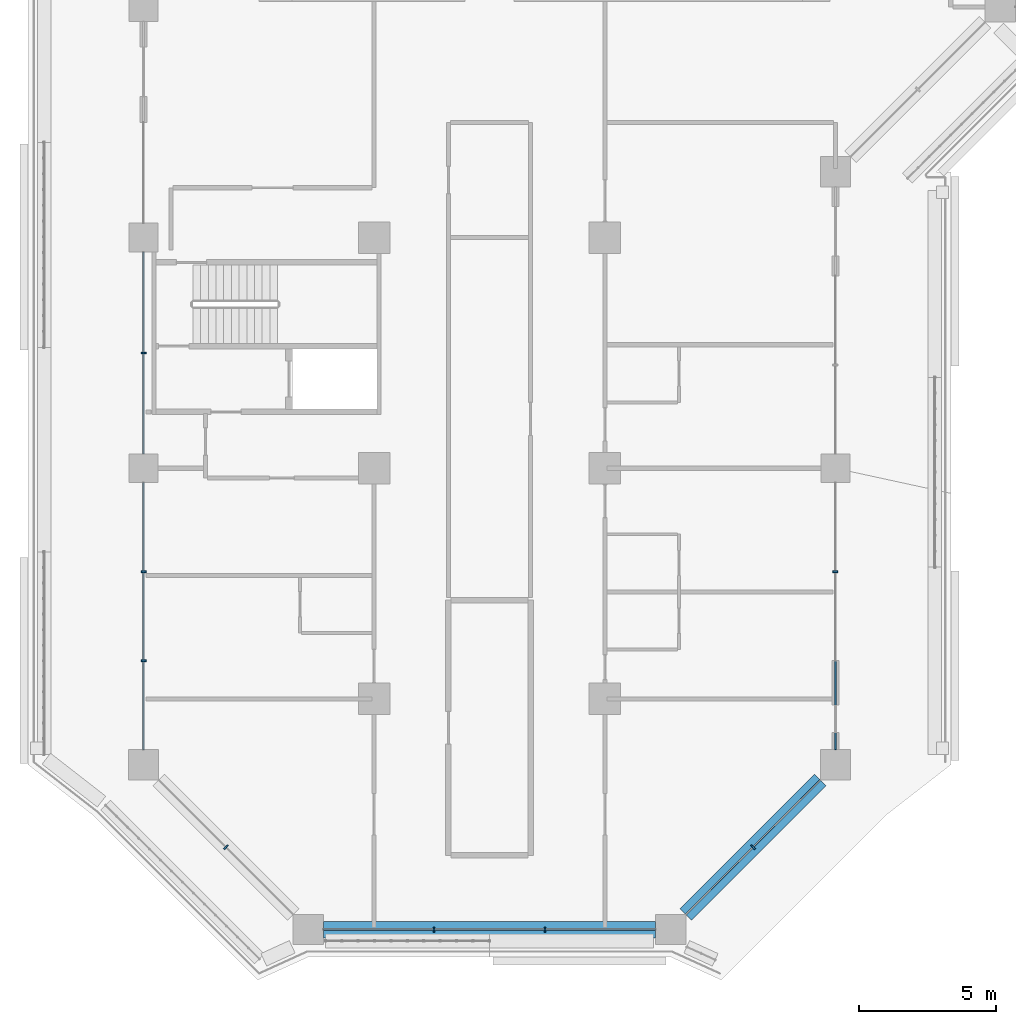
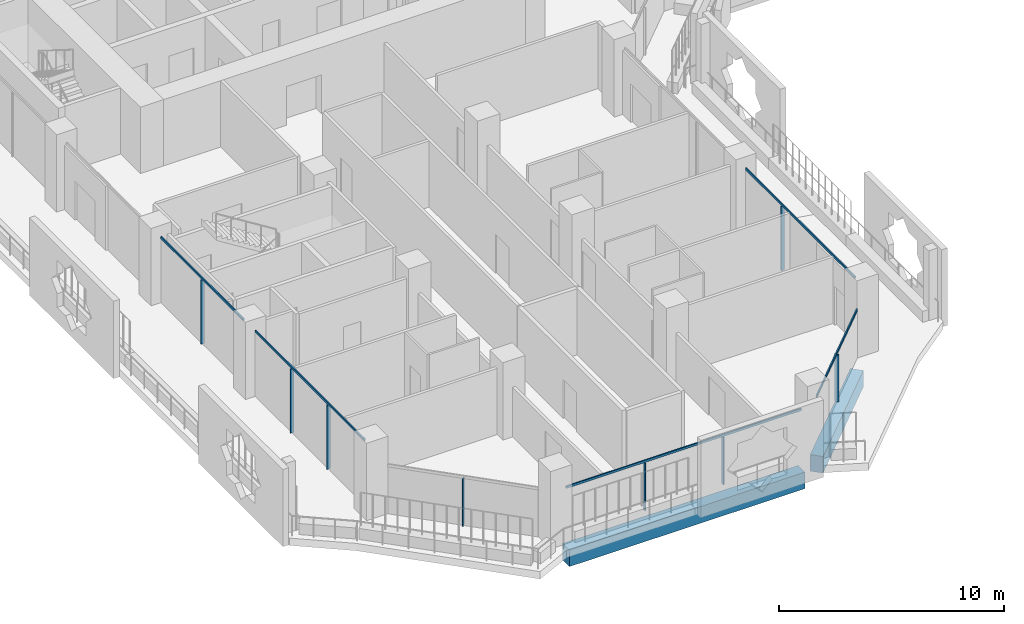
# One storey, part 2 of 25: 13 members, 2 beams, 5 elements without a shape of their own.
"""IFC4 building model written with IfcOpenShell, lengths in metres."""

import ifcopenshell
import ifcopenshell.guid

model = None  # the IFC model being written
_history = None  # IfcOwnerHistory: only IFC2X3 demands one
_inside = {}  # id of a spatial element -> (the spatial element, [elements in it])
_under = {}  # id of a project, library or spatial element -> (it, [spatial elements below it])
_declared = {}  # id of a project -> (the project, [libraries it declares])
_typed = {}  # id of a type object -> (the type object, [elements of that type])
_made_of = {}  # id of a material, layer set ... -> (it, [elements and type objects made of it])


def new_model(schema):
    """Start an empty IFC model of exactly this schema.

    Asked for "IFC4X3", IfcOpenShell would pick the latest addendum, in which some entities
    have other attributes; the version numbers below select the first issue.
    IFC2X3 requires an IfcOwnerHistory on every rooted entity: one is made here for all.
    """
    global model, _history
    if schema == "IFC4X3":
        model = ifcopenshell.file(schema_version=(4, 3, 0, 0))
    else:
        model = ifcopenshell.file(schema=schema)
    _inside.clear()
    _under.clear()
    _declared.clear()
    _typed.clear()
    _made_of.clear()
    _history = None
    if model.schema == "IFC2X3":
        org = make("IfcOrganization", Name="unknown")
        user = make(
            "IfcPersonAndOrganization",
            ThePerson=make("IfcPerson", FamilyName="unknown"),
            TheOrganization=org,
        )
        app = make(
            "IfcApplication",
            ApplicationDeveloper=org,
            Version="unknown",
            ApplicationFullName="unknown",
            ApplicationIdentifier="unknown",
        )
        _history = make(
            "IfcOwnerHistory",
            OwningUser=user,
            OwningApplication=app,
            ChangeAction="ADDED",
            CreationDate=0,
        )
    return model


def make(cls, **values):
    """One entity of the class cls with the attributes given. An attribute that is None is left unset."""
    return model.create_entity(
        cls, **{name: value for name, value in values.items() if value is not None}
    )


def rooted(cls, **values):
    """An entity with a GlobalId (a new one), such as an element, a storey or a relation."""
    return make(cls, GlobalId=ifcopenshell.guid.new(), OwnerHistory=_history, **values)


def si_unit(unit_type, name, prefix=None):
    """IfcSIUnit, for example si_unit("LENGTHUNIT", "METRE", prefix="MILLI")."""
    return make("IfcSIUnit", UnitType=unit_type, Prefix=prefix, Name=name)


def assignment(units):
    """IfcUnitAssignment: the units of a project."""
    return None if units is None else make("IfcUnitAssignment", Units=units)


def point(xyz):
    """IfcCartesianPoint."""
    return None if xyz is None else make("IfcCartesianPoint", Coordinates=xyz)


def direction(xyz):
    """IfcDirection."""
    return None if xyz is None else make("IfcDirection", DirectionRatios=xyz)


def frame(location, z_axis=None, x_axis=None):
    """IfcAxis2Placement3D, a coordinate frame: its origin and axes. An axis left out is left unset."""
    return make(
        "IfcAxis2Placement3D",
        Location=point(location),
        Axis=direction(z_axis),
        RefDirection=direction(x_axis),
    )


def frame_2d(location, x_axis=None):
    """IfcAxis2Placement2D, a coordinate frame in the plane: its origin and x axis."""
    return make(
        "IfcAxis2Placement2D", Location=point(location), RefDirection=direction(x_axis)
    )


def origin():
    """The frame at (0, 0, 0) with its axes left unset."""
    return frame((0.0, 0.0, 0.0))


def origin_2d():
    """The frame at (0, 0) in the plane with its x axis left unset."""
    return frame_2d((0.0, 0.0))


def place(relative_to, where):
    """IfcLocalPlacement: puts the frame where relative to a parent placement (None: the world)."""
    return make(
        "IfcLocalPlacement", PlacementRelTo=relative_to, RelativePlacement=where
    )


def context(
    kind, dimensions, precision=None, world=None, true_north=None, identifier=None
):
    """IfcGeometricRepresentationContext, for example the 3D "Model" context."""
    return make(
        "IfcGeometricRepresentationContext",
        ContextIdentifier=identifier,
        ContextType=kind,
        CoordinateSpaceDimension=dimensions,
        Precision=precision,
        WorldCoordinateSystem=world,
        TrueNorth=true_north,
    )


def subcontext(parent, identifier, kind, view, scale=None):
    """IfcGeometricRepresentationSubContext, for example "Body" below "Model"."""
    return make(
        "IfcGeometricRepresentationSubContext",
        ContextIdentifier=identifier,
        ContextType=kind,
        ParentContext=parent,
        TargetScale=scale,
        TargetView=view,
    )


def project(units=None, contexts=None):
    """IfcProject with its units and contexts."""
    return rooted(
        "IfcProject",
        Name="project",
        RepresentationContexts=contexts,
        UnitsInContext=assignment(units),
    )


def spatial(cls, under=None, at=None, **own):
    """A site, building, storey or space (cls), placed at a placement, below another one or the project."""
    s = rooted(cls, ObjectPlacement=at, **own)
    if under is not None:
        _under.setdefault(under.id(), (under, []))[1].append(s)
    return s


def profile(cls, at=None, kind="AREA", **sizes):
    """A parametric profile (cls). Its sizes go by their IFC names, for example OverallWidth=200.0."""
    return make(cls, ProfileType=kind, Position=at, **sizes)


def rectangle(**sizes):
    """IfcRectangleProfileDef."""
    return profile("IfcRectangleProfileDef", **sizes)


def extrude(swept, where, along, depth):
    """IfcExtrudedAreaSolid: the profile swept, set in the frame where, extruded along a direction by depth."""
    return make(
        "IfcExtrudedAreaSolid",
        SweptArea=swept,
        Position=where,
        ExtrudedDirection=direction(along),
        Depth=depth,
    )


def shape(context_of_items, identifier, shape_type, items):
    """IfcShapeRepresentation: the items that make up one representation, for example the "Body"."""
    return make(
        "IfcShapeRepresentation",
        ContextOfItems=context_of_items,
        RepresentationIdentifier=identifier,
        RepresentationType=shape_type,
        Items=items,
    )


def material(Name=None, Category=None):
    """IfcMaterial."""
    return make("IfcMaterial", Name=Name, Category=Category)


def layer(
    of_material, thickness, ventilated=None, Name=None, Category=None, Priority=None
):
    """IfcMaterialLayer: one layer of a wall or slab, of a material (None: an air gap)."""
    return make(
        "IfcMaterialLayer",
        Material=of_material,
        LayerThickness=thickness,
        IsVentilated=ventilated,
        Name=Name,
        Category=Category,
        Priority=Priority,
    )


def layer_set(layers, Name=None):
    """IfcMaterialLayerSet."""
    return make("IfcMaterialLayerSet", MaterialLayers=layers, LayerSetName=Name)


def material_profile(
    of_material, cross_section, Name=None, Category=None, Priority=None
):
    """IfcMaterialProfile: a cross section and its material."""
    return make(
        "IfcMaterialProfile",
        Name=Name,
        Material=of_material,
        Profile=cross_section,
        Priority=Priority,
        Category=Category,
    )


def profile_set(profiles, Name=None, composite=None):
    """IfcMaterialProfileSet."""
    return make(
        "IfcMaterialProfileSet",
        Name=Name,
        MaterialProfiles=profiles,
        CompositeProfile=composite,
    )


def made_of(thing, what):
    """Note that an element or type object is made of a material, layer set ...; save() writes the relation."""
    if what is not None:
        _made_of.setdefault(what.id(), (what, []))[1].append(thing)
    return thing


def type_object(cls, material=None, **own):
    """A type object (cls), such as IfcWallType, which elements share."""
    return made_of(rooted(cls, **own), material)


def element(
    cls,
    number,
    at=None,
    inside=None,
    cuts=None,
    type_object=None,
    material=None,
    context=None,
    identifier="Body",
    shape_type=None,
    held_by="IfcProductDefinitionShape",
    body=None,
    shapes=None,
    **own,
):
    """One element of the class cls, such as IfcWall. Its Tag is "e" and its number.

    at: its placement. inside: the storey or other place that contains it. cuts: it is an
    opening in that element (IfcRelVoidsElement). A single representation is given by context,
    identifier, shape_type and body (its items); several are given by shapes. held_by: the class
    of the entity that holds the representations. save() writes the other relations.
    """
    e = rooted(cls, Tag="e%d" % number, ObjectPlacement=at, **own)
    if body is not None:
        shapes = [shape(context, identifier, shape_type, body)]
    if shapes is not None:
        e.Representation = make(held_by, Representations=shapes)
    if inside is not None:
        _inside.setdefault(inside.id(), (inside, []))[1].append(e)
    if cuts is not None:
        rooted(
            "IfcRelVoidsElement", RelatingBuildingElement=cuts, RelatedOpeningElement=e
        )
    if type_object is not None:
        _typed.setdefault(type_object.id(), (type_object, []))[1].append(e)
    return made_of(e, material)


def aggregate(whole, parts):
    """IfcRelAggregates: a whole, such as a stair, and the parts it consists of."""
    return rooted("IfcRelAggregates", RelatingObject=whole, RelatedObjects=parts)


def save(model, path):
    """Write the relations noted so far, then the file.

    IfcRelAggregates (storeys below a building ...), IfcRelContainedInSpatialStructure (elements
    in a storey), IfcRelDefinesByType, IfcRelAssociatesMaterial and IfcRelDeclares: one each for
    every whole, place, type object, material and project.
    """
    for whole, parts in _under.values():
        aggregate(whole, parts)
    for where, things in _inside.values():
        rooted(
            "IfcRelContainedInSpatialStructure",
            RelatedElements=things,
            RelatingStructure=where,
        )
    for kind, things in _typed.values():
        rooted("IfcRelDefinesByType", RelatedObjects=things, RelatingType=kind)
    for what, things in _made_of.values():
        rooted("IfcRelAssociatesMaterial", RelatedObjects=things, RelatingMaterial=what)
    for by, libraries in _declared.values():
        rooted("IfcRelDeclares", RelatingContext=by, RelatedDefinitions=libraries)
    model.write(path)


model = new_model("IFC4")

# Units and contexts
model_context = context("Model", 3, precision=1e-05, world=origin(), true_north=direction((0.0, 1.0)))
body_context = subcontext(model_context, "Body", "Model", "MODEL_VIEW")
ifc_project = project(units=[si_unit("LENGTHUNIT", "METRE"), si_unit("AREAUNIT", "SQUARE_METRE"), si_unit("VOLUMEUNIT", "CUBIC_METRE"), si_unit("PLANEANGLEUNIT", "RADIAN"), si_unit("MASSUNIT", "GRAM", prefix="KILO")], contexts=[model_context])

# Site, building, storey
site_placement = place(None, origin())
site = spatial("IfcSite", under=ifc_project, at=site_placement, CompositionType="ELEMENT")
building_placement = place(site_placement, origin())
building = spatial("IfcBuilding", under=site, at=building_placement, Name="Kawkab Arch Medical Tower", CompositionType="ELEMENT")
storey_placement = place(building_placement, frame((0.0, 0.0, 128.199951171875)))
storey = spatial("IfcBuildingStorey", under=building, at=storey_placement, Name="L29", CompositionType="ELEMENT", Elevation=128.199951171875)

# Curtain wall, members
ifc_material_1 = material(Name="Bronze anodised aluminium curtain wall frame", Category="aluminium")
ifc_layer_1 = layer(ifc_material_1, 0.159912109375)
ifc_layer_set_1 = layer_set([ifc_layer_1], Name="Bronze anodised aluminium curtain wall frame")
curtain_wall_type_1 = type_object("IfcCurtainWallType", Name="CW1 ward curtain wall", PredefinedType="NOTDEFINED", material=ifc_layer_set_1)
placement = place(storey_placement, origin())
curtain_wall_1 = element("IfcCurtainWall", 1, at=placement, inside=storey, type_object=curtain_wall_type_1, Name="CW1 Ward curtain wall R01", PredefinedType="NOTDEFINED")
ifc_material_2 = material(Name="Bronze anodised aluminium curtain wall frame", Category="aluminium")
ifc_material_profile_1 = material_profile(ifc_material_2, rectangle(XDim=0.179931640625, YDim=0.06005859375, at=origin_2d()), Name="AL 60x180")
ifc_profile_set_1 = profile_set([ifc_material_profile_1], Name="Bronze anodised aluminium curtain wall frame")
member_type_1 = type_object("IfcMemberType", Name="CW1 mullion 60 x 180", PredefinedType="MULLION", material=ifc_profile_set_1)
member_1_placement = place(storey_placement, frame((0.0, -37.800048828125, 0.0), z_axis=(0.0, 0.0, 1.0), x_axis=(1.0, 0.0, 0.0)))
member_1 = element("IfcMember", 2, at=member_1_placement, type_object=member_type_1, Name="CW1 mullion 5.1", PredefinedType="MULLION", context=body_context, shape_type="SweptSolid", body=[
    extrude(rectangle(XDim=0.179931640625, YDim=0.06005859375, at=origin_2d()), origin(), (0.0, 0.0, 1.0), 3.47998046875),
])
member_2_placement = place(storey_placement, frame((0.0, -45.7666015625, 0.0), z_axis=(0.0, 0.0, 1.0), x_axis=(1.0, 0.0, 0.0)))
member_2 = element("IfcMember", 3, at=member_2_placement, type_object=member_type_1, Name="CW1 mullion 6.1", PredefinedType="MULLION", context=body_context, shape_type="SweptSolid", body=[
    extrude(rectangle(XDim=0.179931640625, YDim=0.06005859375, at=origin_2d()), origin(), (0.0, 0.0, 1.0), 3.47998046875),
])
member_3_placement = place(storey_placement, frame((0.0, -49.00830078125, 0.0), z_axis=(0.0, 0.0, 1.0), x_axis=(1.0, 0.0, 0.0)))
member_3 = element("IfcMember", 4, at=member_3_placement, type_object=member_type_1, Name="CW1 mullion 6.2", PredefinedType="MULLION", context=body_context, shape_type="SweptSolid", body=[
    extrude(rectangle(XDim=0.179931640625, YDim=0.06005859375, at=origin_2d()), origin(), (0.0, 0.0, 1.0), 3.47998046875),
])

curtain_wall_2 = element("IfcCurtainWall", 5, at=placement, inside=storey, type_object=curtain_wall_type_1, Name="CW1 Ward curtain wall R03", PredefinedType="NOTDEFINED")
member_4_placement = place(storey_placement, frame((10.583251953125, -58.800048828125, 0.0), z_axis=(0.0, 0.0, 1.0), x_axis=(0.0, 1.0, 0.0)))
member_4 = element("IfcMember", 6, at=member_4_placement, type_object=member_type_1, Name="CW1 mullion 1.1", PredefinedType="MULLION", context=body_context, shape_type="SweptSolid", body=[
    extrude(rectangle(XDim=0.179931640625, YDim=0.06005859375, at=origin_2d()), origin(), (0.0, 0.0, 1.0), 2.580078125),
])
member_5_placement = place(storey_placement, frame((14.61669921875, -58.800048828125, 0.0), z_axis=(0.0, 0.0, 1.0), x_axis=(0.0, 1.0, 0.0)))
member_5 = element("IfcMember", 7, at=member_5_placement, type_object=member_type_1, Name="CW1 mullion 1.2", PredefinedType="MULLION", context=body_context, shape_type="SweptSolid", body=[
    extrude(rectangle(XDim=0.179931640625, YDim=0.06005859375, at=origin_2d()), origin(), (0.0, 0.0, 1.0), 2.580078125),
])

# Curtain wall, member
curtain_wall_3 = element("IfcCurtainWall", 8, at=placement, inside=storey, type_object=curtain_wall_type_1, Name="CW1 Ward curtain wall R05", PredefinedType="NOTDEFINED")
member_6_placement = place(storey_placement, frame((25.199951171875, -45.7666015625, 0.0), z_axis=(0.0, 0.0, 1.0), x_axis=(-1.0, 0.0, 0.0)))
member_6 = element("IfcMember", 9, at=member_6_placement, type_object=member_type_1, Name="CW1 mullion 1.2", PredefinedType="MULLION", context=body_context, shape_type="SweptSolid", body=[
    extrude(rectangle(XDim=0.179931640625, YDim=0.06005859375, at=origin_2d()), origin(), (0.0, 0.0, 1.0), 3.47998046875),
])

# Member
ifc_material_3 = material(Name="Bronze anodised aluminium curtain wall frame", Category="aluminium")
ifc_material_profile_2 = material_profile(ifc_material_3, rectangle(XDim=0.06005859375, YDim=0.1201171875, at=origin_2d()), Name="AL 60x120")
ifc_profile_set_2 = profile_set([ifc_material_profile_2], Name="Bronze anodised aluminium curtain wall frame")
member_type_2 = type_object("IfcMemberType", Name="CW1 transom 120 x 60", PredefinedType="USERDEFINED", material=ifc_profile_set_2)
member_7_placement = place(storey_placement, frame((0.0, -34.125, 3.5400390625), z_axis=(0.0, -1.0, 0.0), x_axis=(1.0, 0.0, 0.0)))
member_7 = element("IfcMember", 10, at=member_7_placement, type_object=member_type_2, Name="CW1 transom 5", ObjectType="TRANSOM", PredefinedType="USERDEFINED", context=body_context, shape_type="SweptSolid", body=[
    extrude(rectangle(XDim=0.06005859375, YDim=0.1201171875, at=origin_2d()), origin(), (0.0, 0.0, 1.0), 7.35009765625),
])

member_8_placement = place(storey_placement, frame((0.0, -42.52490234375, 3.5400390625), z_axis=(0.0, -1.0, 0.0), x_axis=(1.0, 0.0, 0.0)))
member_8 = element("IfcMember", 11, at=member_8_placement, type_object=member_type_2, Name="CW1 transom 6", ObjectType="TRANSOM", PredefinedType="USERDEFINED", context=body_context, shape_type="SweptSolid", body=[
    extrude(rectangle(XDim=0.06005859375, YDim=0.1201171875, at=origin_2d()), origin(), (0.0, 0.0, 1.0), 9.72509765625),
])

aggregate(curtain_wall_1, [member_7, member_1, member_8, member_2, member_3])

member_9_placement = place(storey_placement, frame((6.550048828125, -58.800048828125, 2.64013671875), z_axis=(1.0, 0.0, 0.0), x_axis=(0.0, 1.0, 0.0)))
member_9 = element("IfcMember", 12, at=member_9_placement, type_object=member_type_2, Name="CW1 transom 1", ObjectType="TRANSOM", PredefinedType="USERDEFINED", context=body_context, shape_type="SweptSolid", body=[
    extrude(rectangle(XDim=0.06005859375, YDim=0.1201171875, at=origin_2d()), origin(), (0.0, 0.0, 1.0), 12.099853515625),
])

aggregate(curtain_wall_2, [member_9, member_4, member_5])

member_10_placement = place(storey_placement, frame((25.199951171875, -52.25, 3.5400390625), z_axis=(0.0, 1.0, 0.0), x_axis=(-1.0, 0.0, 0.0)))
member_10 = element("IfcMember", 13, at=member_10_placement, type_object=member_type_2, Name="CW1 transom 1", ObjectType="TRANSOM", PredefinedType="USERDEFINED", context=body_context, shape_type="SweptSolid", body=[
    extrude(rectangle(XDim=0.06005859375, YDim=0.1201171875, at=origin_2d()), origin(), (0.0, 0.0, 1.0), 9.72509765625),
])

aggregate(curtain_wall_3, [member_10, member_6])

# Curtain wall, member
ifc_material_4 = material(Name="Bronze anodised aluminium curtain wall frame", Category="aluminium")
ifc_layer_2 = layer(ifc_material_4, 0.159912109375)
ifc_layer_set_2 = layer_set([ifc_layer_2], Name="Bronze anodised aluminium curtain wall frame")
curtain_wall_type_2 = type_object("IfcCurtainWallType", Name="CW2 chamfer curtain wall", PredefinedType="NOTDEFINED", material=ifc_layer_set_2)
curtain_wall_4 = element("IfcCurtainWall", 14, at=placement, inside=storey, type_object=curtain_wall_type_2, Name="CW2 Chamfer curtain wall R02", PredefinedType="NOTDEFINED")
ifc_material_5 = material(Name="Bronze anodised aluminium curtain wall frame", Category="aluminium")
ifc_material_profile_3 = material_profile(ifc_material_5, rectangle(XDim=0.199951171875, YDim=0.06005859375, at=origin_2d()), Name="AL 60x200")
ifc_profile_set_3 = profile_set([ifc_material_profile_3], Name="Bronze anodised aluminium curtain wall frame")
member_type_3 = type_object("IfcMemberType", Name="CW2 mullion 60 x 200", PredefinedType="MULLION", material=ifc_profile_set_3)
member_11_placement = place(storey_placement, frame((3.0, -55.800048828125, 0.0), z_axis=(0.0, 0.0, 1.0), x_axis=(0.707106781187, 0.707106781187, 0.0)))
member_11 = element("IfcMember", 15, at=member_11_placement, type_object=member_type_3, Name="CW2 mullion 1.1", PredefinedType="MULLION", context=body_context, shape_type="SweptSolid", body=[
    extrude(rectangle(XDim=0.199951171875, YDim=0.06005859375, at=origin_2d()), origin(), (0.0, 0.0, 1.0), 2.56005859375),
])
aggregate(curtain_wall_4, [member_11])

# Curtain wall, members
curtain_wall_5 = element("IfcCurtainWall", 16, at=placement, inside=storey, type_object=curtain_wall_type_2, Name="CW2 Chamfer curtain wall R04", PredefinedType="NOTDEFINED")
member_12_placement = place(storey_placement, frame((22.199951171875, -55.800048828125, 0.0), z_axis=(0.0, 0.0, 1.0), x_axis=(-0.707106781187, 0.707106781187, 0.0)))
member_12 = element("IfcMember", 17, at=member_12_placement, type_object=member_type_3, Name="CW2 mullion 1.1", PredefinedType="MULLION", context=body_context, shape_type="SweptSolid", body=[
    extrude(rectangle(XDim=0.199951171875, YDim=0.06005859375, at=origin_2d()), origin(), (0.0, 0.0, 1.0), 2.56005859375),
])
ifc_material_6 = material(Name="Bronze anodised aluminium curtain wall frame", Category="aluminium")
ifc_material_profile_4 = material_profile(ifc_material_6, rectangle(XDim=0.06005859375, YDim=0.139892578125, at=origin_2d()), Name="AL 60x140")
ifc_profile_set_4 = profile_set([ifc_material_profile_4], Name="Bronze anodised aluminium curtain wall frame")
member_type_4 = type_object("IfcMemberType", Name="CW2 transom 140 x 60", PredefinedType="USERDEFINED", material=ifc_profile_set_4)
member_13_placement = place(storey_placement, frame((19.75, -58.25, 2.630126953125), z_axis=(0.707106781187, 0.707106781187, 0.0), x_axis=(-0.707106781187, 0.707106781187, 0.0)))
member_13 = element("IfcMember", 18, at=member_13_placement, type_object=member_type_4, Name="CW2 transom 1", ObjectType="TRANSOM", PredefinedType="USERDEFINED", context=body_context, shape_type="SweptSolid", body=[
    extrude(rectangle(XDim=0.06005859375, YDim=0.139892578125, at=origin_2d()), origin(), (0.0, 0.0, 1.0), 6.929443359375),
])
aggregate(curtain_wall_5, [member_13, member_12])

# Beams
ifc_material_7 = material(Name="Concrete C55/67", Category="concrete")
ifc_material_profile_5 = material_profile(ifc_material_7, rectangle(XDim=0.60009765625, YDim=0.89990234375, at=origin_2d()), Name="RC 600x900")
ifc_profile_set_5 = profile_set([ifc_material_profile_5], Name="Concrete C55/67")
beam_type = type_object("IfcBeamType", Name="RC 600x900 beam C55/67", PredefinedType="BEAM", material=ifc_profile_set_5)
beam_1_placement = place(storey_placement, frame((24.64990234375, -53.35009765625, -1.050048828125), z_axis=(-0.707106781187, -0.707106781187, 0.0), x_axis=(0.707106781187, -0.707106781187, 0.0)))
element("IfcBeam", 19, at=beam_1_placement, inside=storey, type_object=beam_type, Name="Overhang edge beam L29-07", PredefinedType="BEAM", context=body_context, shape_type="SweptSolid", body=[
    extrude(rectangle(XDim=0.60009765625, YDim=0.89990234375, at=origin_2d()), origin(), (0.0, 0.0, 1.0), 6.929443359375),
])
beam_2_placement = place(storey_placement, frame((18.64990234375, -58.800048828125, -1.050048828125), z_axis=(-1.0, 0.0, 0.0), x_axis=(0.0, -1.0, 0.0)))
element("IfcBeam", 20, at=beam_2_placement, inside=storey, type_object=beam_type, Name="Overhang edge beam L29-08", PredefinedType="BEAM", context=body_context, shape_type="SweptSolid", body=[
    extrude(rectangle(XDim=0.60009765625, YDim=0.89990234375, at=origin_2d()), origin(), (0.0, 0.0, 1.0), 12.099853515625),
])

save(model, "model.ifc")
